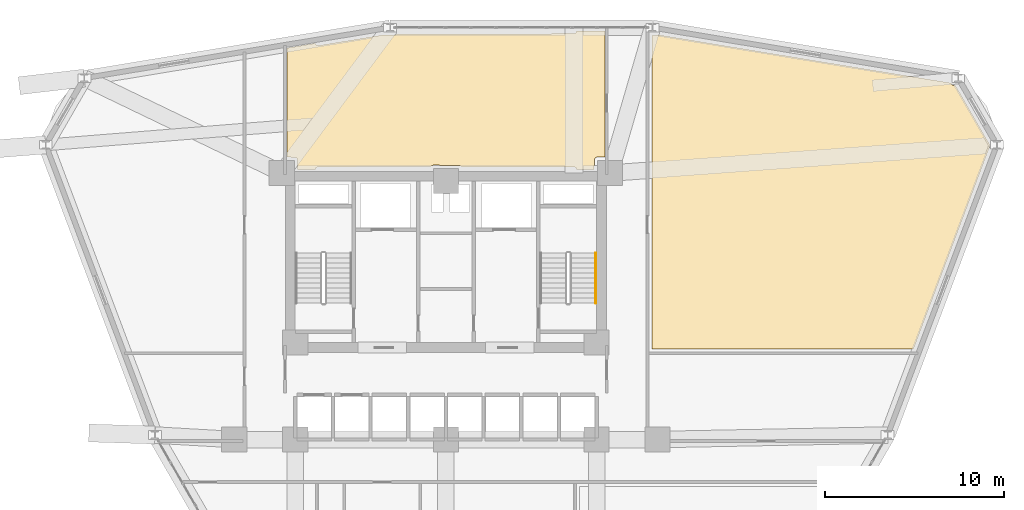
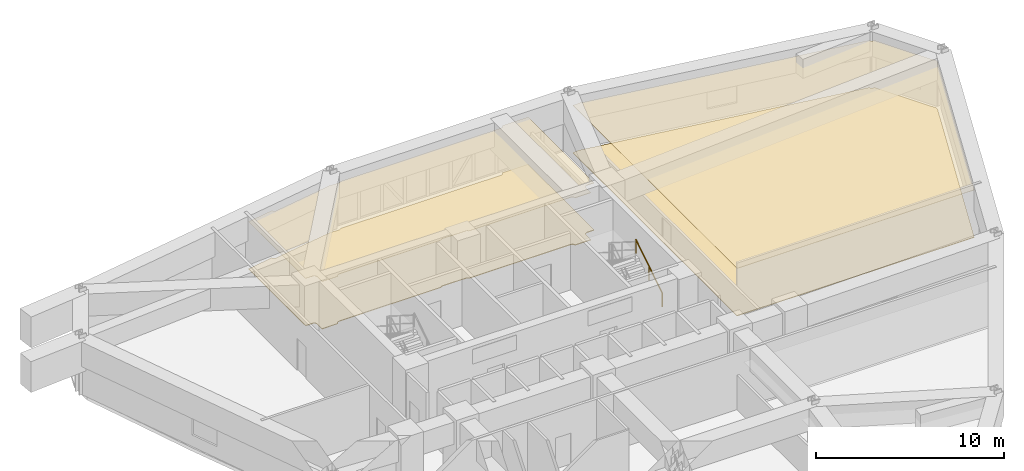
# One storey, part 18 of 18: 4 coverings, 1 railing.
"""IFC4 building model written with IfcOpenShell, lengths in metres."""

from ifc_helpers import new_model, si_unit, derived_unit, direction, frame, origin, origin_2d, place, context, subcontext, project, spatial, polyline, circle, outline, extrude, material, layer, layer_set, type_object, element, save


model = new_model("IFC4")

# Units and contexts
model_context = context("Model", 3, precision=1e-05, world=origin(), true_north=direction((0.0, 1.0)))
body_context = subcontext(model_context, "Body", "Model", "MODEL_VIEW")
ifc_project = project(units=[si_unit("LENGTHUNIT", "METRE"), si_unit("AREAUNIT", "SQUARE_METRE"), si_unit("VOLUMEUNIT", "CUBIC_METRE"), si_unit("PLANEANGLEUNIT", "RADIAN"), si_unit("MASSUNIT", "GRAM", prefix="KILO"), derived_unit("THERMALTRANSMITTANCEUNIT", [(si_unit("POWERUNIT", "WATT"), 1), (si_unit("LENGTHUNIT", "METRE"), -2), (si_unit("THERMODYNAMICTEMPERATUREUNIT", "KELVIN"), -1)])], contexts=[model_context])

# Site, building, storey
site_placement = place(None, origin())
site = spatial("IfcSite", under=ifc_project, at=site_placement, CompositionType="ELEMENT")
building_placement = place(site_placement, origin())
building = spatial("IfcBuilding", under=site, at=building_placement, Name="Korsvarv Bourse and Concert Hall", CompositionType="ELEMENT")
storey_placement = place(building_placement, frame((0.0, 0.0, 95.10009765625)))
storey = spatial("IfcBuildingStorey", under=building, at=storey_placement, Name="L23", CompositionType="ELEMENT", Elevation=95.10009765625)

# Coverings
ifc_material_1 = material(Name="Perforated mineral-wool and birch acoustic baffle ceiling", Category="wood")
ifc_layer_1 = layer(ifc_material_1, 0.02490234375)
ifc_layer_set_1 = layer_set([ifc_layer_1], Name="Perforated mineral-wool and birch acoustic baffle ceiling")
covering_type_1 = type_object("IfcCoveringType", Name="COV-CEIL-1", PredefinedType="CEILING", material=ifc_layer_set_1)
covering_1_placement = place(storey_placement, frame((0.0, 0.0, 3.079833984375)))
element("IfcCovering", 1, at=covering_1_placement, inside=storey, type_object=covering_type_1, Name="L23 acoustic baffle ceiling 1", PredefinedType="CEILING", context=body_context, shape_type="SweptSolid", body=[
    extrude(outline(polyline([(64.15771484375, 52.26513671875), (64.1669921875, 52.236572265625), (64.1845703125, 52.204833984375), (64.2080078125, 52.17724609375), (64.23681640625, 52.15478515625), (64.269287109375, 52.138671875), (64.304443359375, 52.12939453125), (64.4052734375, 52.123046875), (66.302978515625, 48.835693359375), (66.302978515625, 48.716796875), (62.06201171875, 37.449951171875), (47.47998046875, 37.449951171875), (47.47998046875, 54.930908203125), (47.720947265625, 54.930908203125), (47.755859375, 54.93408203125), (47.78955078125, 54.9443359375), (47.820556640625, 54.960693359375), (64.15771484375, 52.26513671875)])), origin(), (0.0, 0.0, 1.0), 0.025146484375),
])
covering_2_placement = place(storey_placement, frame((0.0, 0.0, 3.079833984375)))
element("IfcCovering", 2, at=covering_2_placement, inside=storey, type_object=covering_type_1, Name="L23 acoustic baffle ceiling 3", PredefinedType="CEILING", context=body_context, shape_type="SweptSolid", body=[
    extrude(outline(polyline([(28.71533203125, 54.486083984375), (28.723876953125, 54.46337890625), (28.7421875, 54.4326171875), (28.766357421875, 54.406005859375), (28.795166015625, 54.384765625), (28.82763671875, 54.36962890625), (28.8623046875, 54.361083984375), (28.898193359375, 54.35986328125), (32.58349609375, 54.962646484375), (32.613525390625, 54.94970703125), (32.6474609375, 54.942138671875), (33.098876953125, 54.930908203125), (33.13427734375, 54.93359375), (33.168212890625, 54.943115234375), (33.199951171875, 54.958984375), (33.227783203125, 54.981201171875), (33.250732421875, 55.008056640625), (43.110107421875, 55.017822265625), (43.146240234375, 55.021484375), (43.180908203125, 55.032470703125), (43.212890625, 55.050048828125), (43.240478515625, 55.07373046875), (43.2626953125, 55.1025390625), (43.27880859375, 55.13525390625), (43.287841796875, 55.17041015625), (44.8701171875, 55.177734375), (44.8701171875, 48.139892578125), (44.449951171875, 48.139892578125), (44.415283203125, 48.13671875), (44.381591796875, 48.12646484375), (44.350830078125, 48.110107421875), (44.323486328125, 48.088134765625), (44.30126953125, 48.061279296875), (44.284423828125, 48.03076171875), (44.27392578125, 47.997314453125), (44.27001953125, 47.962646484375), (44.2626953125, 47.43994140625), (43.288818359375, 47.43994140625), (43.2841796875, 47.465087890625), (43.271484375, 47.499267578125), (43.252197265625, 47.5302734375), (43.227294921875, 47.556640625), (43.197265625, 47.577392578125), (43.163818359375, 47.591796875), (43.128173828125, 47.59912109375), (36.859619140625, 47.60009765625), (36.837646484375, 47.626708984375), (36.810791015625, 47.649169921875), (36.77978515625, 47.666015625), (36.74609375, 47.67626953125), (36.711181640625, 47.679931640625), (35.30126953125, 47.68994140625), (35.266357421875, 47.686767578125), (35.232421875, 47.677001953125), (35.201416015625, 47.66064453125), (35.174072265625, 47.638427734375), (35.1513671875, 47.611572265625), (28.889892578125, 47.60009765625), (28.853759765625, 47.59619140625), (28.819091796875, 47.58544921875), (28.787109375, 47.567626953125), (28.759521484375, 47.5439453125), (28.7373046875, 47.51513671875), (28.72119140625, 47.482421875), (28.712158203125, 47.447265625), (27.739990234375, 47.43994140625), (27.739990234375, 47.949951171875), (27.736572265625, 47.98486328125), (27.7265625, 48.018310546875), (27.710205078125, 48.049072265625), (27.688232421875, 48.076171875), (27.66162109375, 48.0986328125), (27.630859375, 48.115478515625), (27.59765625, 48.1259765625), (27.56298828125, 48.1298828125), (27.1298828125, 48.13720703125), (27.1298828125, 54.212890625), (28.71533203125, 54.486083984375)])), origin(), (0.0, 0.0, 1.0), 0.025146484375),
])
ifc_material_2 = material(Name="Calcium-sulphate raised access trading floor with Nordic oak top", Category="wood")
ifc_layer_2 = layer(ifc_material_2, 0.0400390625)
ifc_layer_set_2 = layer_set([ifc_layer_2], Name="Calcium-sulphate raised access trading floor with Nordic oak top")
covering_type_2 = type_object("IfcCoveringType", Name="COV-FLOR-1", PredefinedType="FLOORING", material=ifc_layer_set_2)
covering_3_placement = place(storey_placement, origin())
element("IfcCovering", 3, at=covering_3_placement, inside=storey, type_object=covering_type_2, Name="L23 raised access oak floor finish 1", PredefinedType="FLOORING", context=body_context, shape_type="SweptSolid", body=[
    extrude(outline(polyline([(64.15771484375, 52.26513671875), (64.1669921875, 52.236572265625), (64.1845703125, 52.204833984375), (64.2080078125, 52.17724609375), (64.23681640625, 52.15478515625), (64.269287109375, 52.138671875), (64.304443359375, 52.12939453125), (64.4052734375, 52.123046875), (66.302978515625, 48.835693359375), (66.302978515625, 48.716796875), (62.06201171875, 37.449951171875), (47.47998046875, 37.449951171875), (47.47998046875, 54.930908203125), (47.720947265625, 54.930908203125), (47.755859375, 54.93408203125), (47.78955078125, 54.9443359375), (47.820556640625, 54.960693359375), (64.15771484375, 52.26513671875)])), origin(), (0.0, 0.0, 1.0), 0.039794921875),
])
covering_4_placement = place(storey_placement, origin())
element("IfcCovering", 4, at=covering_4_placement, inside=storey, type_object=covering_type_2, Name="L23 raised access oak floor finish 3", PredefinedType="FLOORING", context=body_context, shape_type="SweptSolid", body=[
    extrude(outline(polyline([(28.71533203125, 54.486083984375), (28.723876953125, 54.46337890625), (28.7421875, 54.4326171875), (28.766357421875, 54.406005859375), (28.795166015625, 54.384765625), (28.82763671875, 54.36962890625), (28.8623046875, 54.361083984375), (28.898193359375, 54.35986328125), (32.58349609375, 54.962646484375), (32.613525390625, 54.94970703125), (32.6474609375, 54.942138671875), (33.098876953125, 54.930908203125), (33.13427734375, 54.93359375), (33.168212890625, 54.943115234375), (33.199951171875, 54.958984375), (33.227783203125, 54.981201171875), (33.250732421875, 55.008056640625), (43.110107421875, 55.017822265625), (43.146240234375, 55.021484375), (43.180908203125, 55.032470703125), (43.212890625, 55.050048828125), (43.240478515625, 55.07373046875), (43.2626953125, 55.1025390625), (43.27880859375, 55.13525390625), (43.287841796875, 55.17041015625), (44.8701171875, 55.177734375), (44.8701171875, 48.139892578125), (44.449951171875, 48.139892578125), (44.415283203125, 48.13671875), (44.381591796875, 48.12646484375), (44.350830078125, 48.110107421875), (44.323486328125, 48.088134765625), (44.30126953125, 48.061279296875), (44.284423828125, 48.03076171875), (44.27392578125, 47.997314453125), (44.27001953125, 47.962646484375), (44.2626953125, 47.43994140625), (43.288818359375, 47.43994140625), (43.2841796875, 47.465087890625), (43.271484375, 47.499267578125), (43.252197265625, 47.5302734375), (43.227294921875, 47.556640625), (43.197265625, 47.577392578125), (43.163818359375, 47.591796875), (43.128173828125, 47.59912109375), (36.859619140625, 47.60009765625), (36.837646484375, 47.626708984375), (36.810791015625, 47.649169921875), (36.77978515625, 47.666015625), (36.74609375, 47.67626953125), (36.711181640625, 47.679931640625), (35.30126953125, 47.68994140625), (35.266357421875, 47.686767578125), (35.232421875, 47.677001953125), (35.201416015625, 47.66064453125), (35.174072265625, 47.638427734375), (35.1513671875, 47.611572265625), (28.889892578125, 47.60009765625), (28.853759765625, 47.59619140625), (28.819091796875, 47.58544921875), (28.787109375, 47.567626953125), (28.759521484375, 47.5439453125), (28.7373046875, 47.51513671875), (28.72119140625, 47.482421875), (28.712158203125, 47.447265625), (27.739990234375, 47.43994140625), (27.739990234375, 47.949951171875), (27.736572265625, 47.98486328125), (27.7265625, 48.018310546875), (27.710205078125, 48.049072265625), (27.688232421875, 48.076171875), (27.66162109375, 48.0986328125), (27.630859375, 48.115478515625), (27.59765625, 48.1259765625), (27.56298828125, 48.1298828125), (27.1298828125, 48.13720703125), (27.1298828125, 54.212890625), (28.71533203125, 54.486083984375)])), origin(), (0.0, 0.0, 1.0), 0.039794921875),
])

# Railing
ifc_material_3 = material(Name="Brushed stainless Steel S355 tubular handrail", Category="steel")
railing_type = type_object("IfcRailingType", Name="RL-ST-HND", PredefinedType="HANDRAIL", material=ifc_material_3)
railing_placement = place(storey_placement, frame((44.35009765625, 40.0, 0.17724609375)))
element("IfcRailing", 5, at=railing_placement, inside=storey, type_object=railing_type, Name="L23 ST-T2 stair handrail 1", PredefinedType="HANDRAIL", context=body_context, shape_type="SweptSolid", body=[
    extrude(circle(Radius=0.02392578125, at=origin_2d()), frame((0.0, 0.0, 0.8759765625), z_axis=(0.0, 0.844908973607, 0.534910110503), x_axis=(-1.0, 0.0, 0.0)), (0.0, 0.0, 1.0), 3.31396484375),
    extrude(circle(Radius=0.02099609375, at=origin_2d()), origin(), (0.0, 0.0, 1.0), 0.851806640625),
    extrude(circle(Radius=0.02099609375, at=origin_2d()), frame((0.0, 1.39990234375, 0.88623046875)), (0.0, 0.0, 1.0), 0.851806640625),
    extrude(circle(Radius=0.02099609375, at=origin_2d()), frame((0.0, 2.800048828125, 1.772705078125)), (0.0, 0.0, 1.0), 0.851806640625),
])

save(model, "model.ifc")
